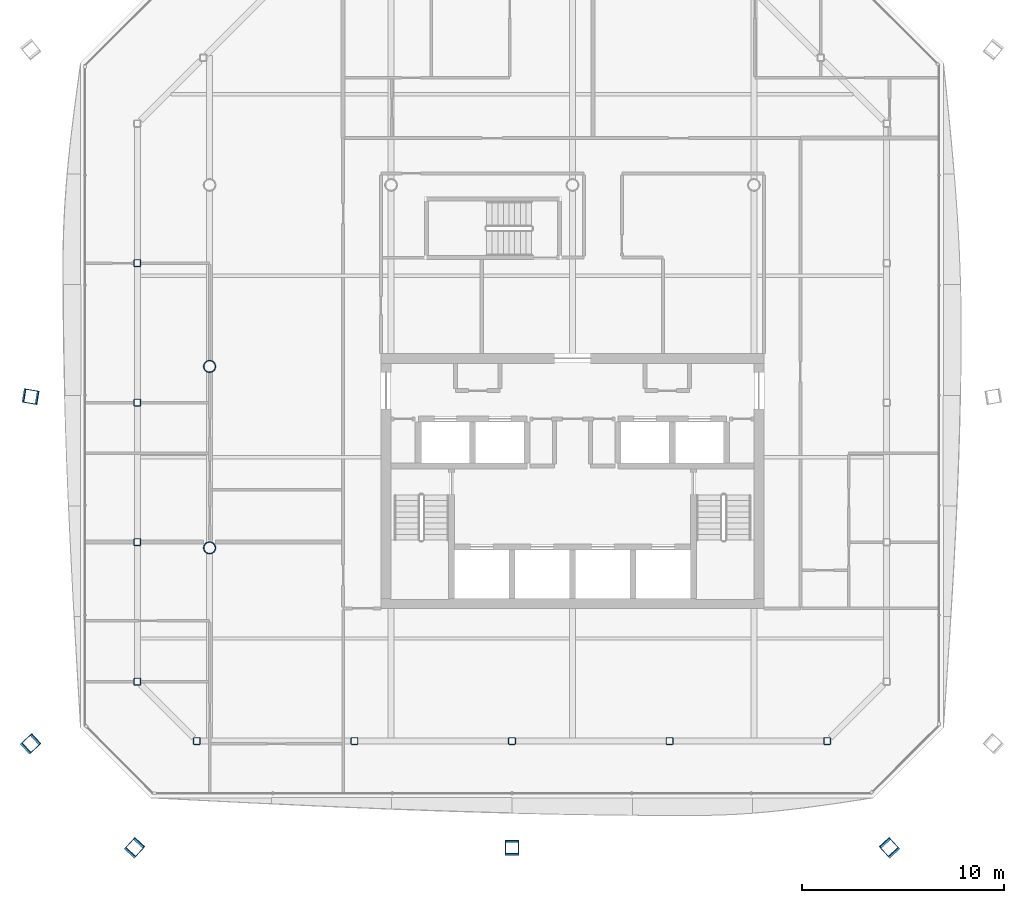
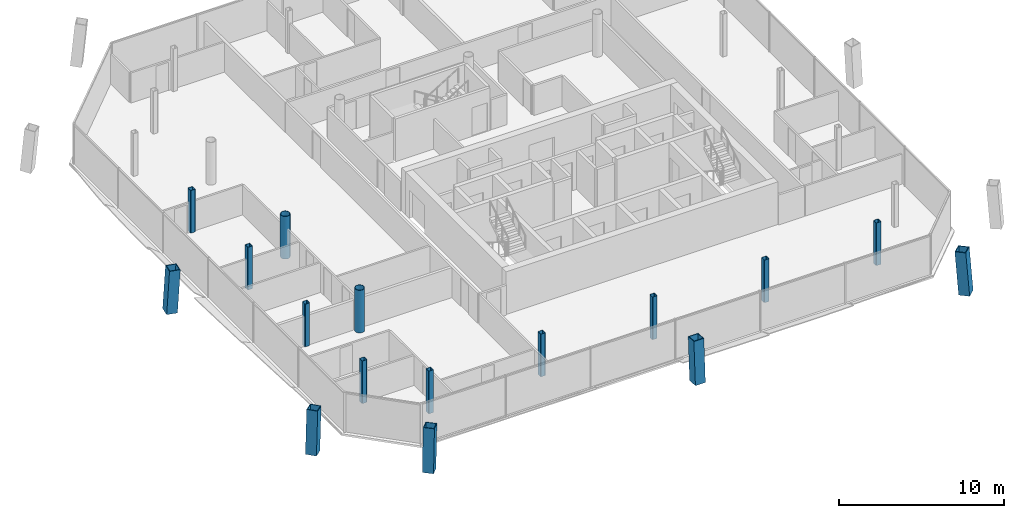
# One storey, part 1 of 20: 16 columns.
"""IFC4 building model written with IfcOpenShell, lengths in metres."""

from ifc_helpers import new_model, si_unit, direction, frame, origin, origin_2d, place, context, subcontext, project, spatial, hollow_rectangle, hollow_circle, extrude, material, material_profile, profile_set, type_object, element, save


model = new_model("IFC4")

# Units and contexts
model_context = context("Model", 3, precision=1e-05, world=origin(), true_north=direction((0.0, 1.0)))
body_context = subcontext(model_context, "Body", "Model", "MODEL_VIEW")
ifc_project = project(units=[si_unit("LENGTHUNIT", "METRE"), si_unit("AREAUNIT", "SQUARE_METRE"), si_unit("VOLUMEUNIT", "CUBIC_METRE"), si_unit("PLANEANGLEUNIT", "RADIAN"), si_unit("MASSUNIT", "GRAM", prefix="KILO")], contexts=[model_context])

# Site, building, storey
site_placement = place(None, origin())
site = spatial("IfcSite", under=ifc_project, at=site_placement, CompositionType="ELEMENT")
building_placement = place(site_placement, origin())
building = spatial("IfcBuilding", under=site, at=building_placement, Name="Tskaro Facet Tower", CompositionType="ELEMENT")
storey_placement = place(building_placement, frame((0.0, 0.0, 178.5)))
storey = spatial("IfcBuildingStorey", under=building, at=storey_placement, Name="L44", CompositionType="ELEMENT", Elevation=178.5)

# Columns
ifc_material_1 = material(Name="Steel S460M", Category="steel")
ifc_material_profile_1 = material_profile(ifc_material_1, hollow_rectangle(XDim=0.699951171875, YDim=0.699951171875, WallThickness=0.044921875, at=origin_2d()), Name="BOX 700x700x45")
ifc_profile_set_1 = profile_set([ifc_material_profile_1], Name="Steel S460M")
column_type_1 = type_object("IfcColumnType", Name="BOX 700x700x45 mega column", PredefinedType="COLUMN", material=ifc_profile_set_1)
column_1_placement = place(storey_placement, frame((-21.751953125, -23.910888671875, 0.0), z_axis=(0.052851955756, 0.057874436932, 0.996923878901), x_axis=(-0.738421459448, 0.674339490337, 0.0)))
element("IfcColumn", 1, at=column_1_placement, inside=storey, type_object=column_type_1, Name="BOX 700x700x45 MC01/4", PredefinedType="COLUMN", context=body_context, shape_type="SweptSolid", body=[
    extrude(hollow_rectangle(XDim=0.699951171875, YDim=0.699951171875, WallThickness=0.044921875, at=origin_2d()), origin(), (0.0, 0.0, 1.0), 3.15966796875),
])
column_2_placement = place(storey_placement, frame((-3.0, -23.910888671875, 0.0), z_axis=(0.0, 0.057955437846, 0.998319171019), x_axis=(-1.0, 0.0, 0.0)))
element("IfcColumn", 2, at=column_2_placement, inside=storey, type_object=column_type_1, Name="BOX 700x700x45 MC02/4", PredefinedType="COLUMN", context=body_context, shape_type="SweptSolid", body=[
    extrude(hollow_rectangle(XDim=0.699951171875, YDim=0.699951171875, WallThickness=0.044921875, at=origin_2d()), origin(), (0.0, 0.0, 1.0), 3.1552734375),
])
column_3_placement = place(storey_placement, frame((15.751953125, -23.910888671875, 0.0), z_axis=(-0.052851955756, 0.057874436932, 0.996923878901), x_axis=(-0.738421459448, -0.674339490337, 0.0)))
element("IfcColumn", 3, at=column_3_placement, inside=storey, type_object=column_type_1, Name="BOX 700x700x45 MC03/4", PredefinedType="COLUMN", context=body_context, shape_type="SweptSolid", body=[
    extrude(hollow_rectangle(XDim=0.699951171875, YDim=0.699951171875, WallThickness=0.044921875, at=origin_2d()), origin(), (0.0, 0.0, 1.0), 3.15966796875),
])
column_4_placement = place(storey_placement, frame((-26.910888671875, -1.493896484375, 0.0), z_axis=(0.057952639735, -0.009826415549, 0.998270971783), x_axis=(0.167173292449, 0.98592752791, 0.0)))
element("IfcColumn", 4, at=column_4_placement, inside=storey, type_object=column_type_1, Name="BOX 700x700x45 MC11/4", PredefinedType="COLUMN", context=body_context, shape_type="SweptSolid", body=[
    extrude(hollow_rectangle(XDim=0.699951171875, YDim=0.699951171875, WallThickness=0.044921875, at=origin_2d()), origin(), (0.0, 0.0, 1.0), 3.1552734375),
])
column_5_placement = place(storey_placement, frame((-26.910888671875, -18.751953125, 0.0), z_axis=(0.057874436932, 0.052851955756, 0.996923878901), x_axis=(-0.674339490337, 0.738421459448, 0.0)))
element("IfcColumn", 5, at=column_5_placement, inside=storey, type_object=column_type_1, Name="BOX 700x700x45 MC12/4", PredefinedType="COLUMN", context=body_context, shape_type="SweptSolid", body=[
    extrude(hollow_rectangle(XDim=0.699951171875, YDim=0.699951171875, WallThickness=0.044921875, at=origin_2d()), origin(), (0.0, 0.0, 1.0), 3.15966796875),
])
ifc_material_2 = material(Name="Steel S355J2H", Category="steel")
ifc_material_profile_2 = material_profile(ifc_material_2, hollow_circle(Radius=0.304931640625, WallThickness=0.030029296875, at=origin_2d()), Name="CHS 610x30")
ifc_profile_set_2 = profile_set([ifc_material_profile_2], Name="Steel S355J2H")
column_type_2 = type_object("IfcColumnType", Name="CHS 610x30 interior column", PredefinedType="COLUMN", material=ifc_profile_set_2)
for number, where, z_axis, x_axis, name in (
    (6, (-18.0, -9.0, 0.0), (0.0, 0.0, 1.0), (1.0, 0.0, 0.0), "CHS 610x30 C2C/4"),
    (7, (-18.0, 0.0, 0.0), (0.0, 0.0, 1.0), (1.0, 0.0, 0.0), "CHS 610x30 C2D/4"),
):
    element("IfcColumn", number, at=place(storey_placement, frame(where, z_axis=z_axis, x_axis=x_axis)), inside=storey, type_object=column_type_2, Name=name, PredefinedType="COLUMN", context=body_context, shape_type="SweptSolid", body=[
        extrude(hollow_circle(Radius=0.304931640625, WallThickness=0.030029296875, at=origin_2d()), origin(), (0.0, 0.0, 1.0), 3.14990234375),
    ])
ifc_material_profile_3 = material_profile(ifc_material_2, hollow_rectangle(XDim=0.35009765625, YDim=0.35009765625, WallThickness=0.02001953125, InnerFilletRadius=0.030029296875, OuterFilletRadius=0.050048828125, at=origin_2d()), Name="SHS 350x350x20")
ifc_profile_set_3 = profile_set([ifc_material_profile_3], Name="Steel S355J2H")
column_type_3 = type_object("IfcColumnType", Name="SHS 350x350x20 ring column", PredefinedType="COLUMN", material=ifc_profile_set_3)
for number, where, z_axis, x_axis, name in (
    (8, (-18.633056640625, -18.5830078125, 0.0), (0.0, 0.0, 1.0), (1.0, 0.0, 0.0), "SHS 350x350x20 RS-1/4"),
    (9, (-10.81591796875, -18.5830078125, 0.0), (0.0, 0.0, 1.0), (1.0, 0.0, 0.0), "SHS 350x350x20 RS-2/4"),
    (10, (-3.0, -18.5830078125, 0.0), (0.0, 0.0, 1.0), (1.0, 0.0, 0.0), "SHS 350x350x20 RS-3/4"),
    (11, (4.81689453125, -18.5830078125, 0.0), (0.0, 0.0, 1.0), (1.0, 0.0, 0.0), "SHS 350x350x20 RS-4/4"),
    (12, (12.633056640625, -18.5830078125, 0.0), (0.0, 0.0, 1.0), (1.0, 0.0, 0.0), "SHS 350x350x20 RSE-1/4"),
    (13, (-21.5830078125, 5.1259765625, 0.0), (0.0, 0.0, 1.0), (1.0, 0.0, 0.0), "SHS 350x350x20 RW-2/4"),
    (14, (-21.5830078125, -1.79296875, 0.0), (0.0, 0.0, 1.0), (1.0, 0.0, 0.0), "SHS 350x350x20 RW-3/4"),
    (15, (-21.5830078125, -8.712890625, 0.0), (0.0, 0.0, 1.0), (1.0, 0.0, 0.0), "SHS 350x350x20 RW-4/4"),
    (16, (-21.5830078125, -15.633056640625, 0.0), (0.0, 0.0, 1.0), (1.0, 0.0, 0.0), "SHS 350x350x20 RSW-1/4"),
):
    element("IfcColumn", number, at=place(storey_placement, frame(where, z_axis=z_axis, x_axis=x_axis)), inside=storey, type_object=column_type_3, Name=name, PredefinedType="COLUMN", context=body_context, shape_type="SweptSolid", body=[
        extrude(hollow_rectangle(XDim=0.35009765625, YDim=0.35009765625, WallThickness=0.02001953125, InnerFilletRadius=0.030029296875, OuterFilletRadius=0.050048828125, at=origin_2d()), origin(), (0.0, 0.0, 1.0), 3.14990234375),
    ])

save(model, "model.ifc")
